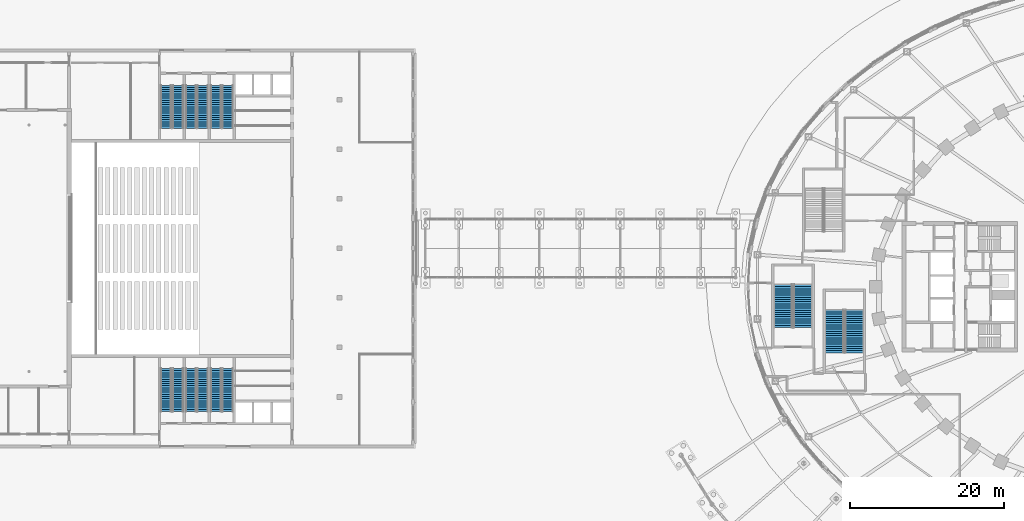
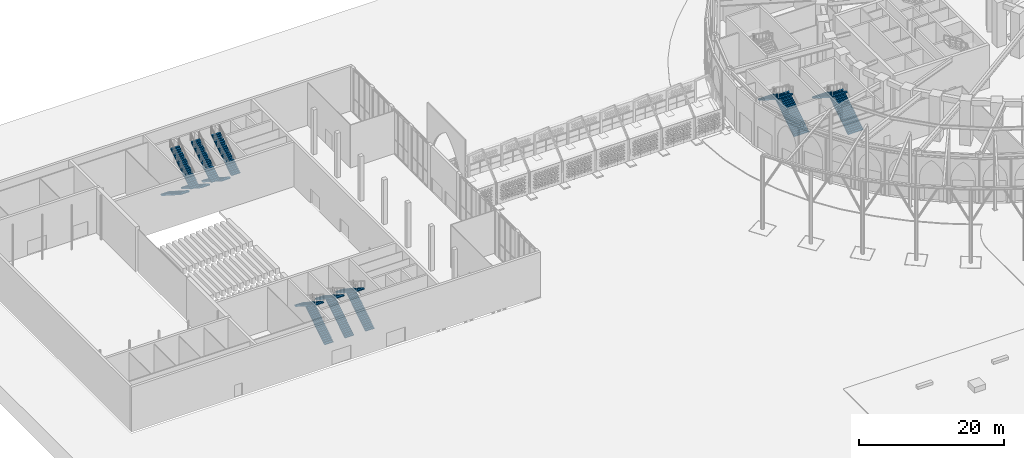
# One storey, part 50 of 79: 16 stair flights, 8 elements without a shape of their own.
"""IFC4 building model written with IfcOpenShell, lengths in metres."""

from ifc_helpers import new_model, si_unit, direction, frame, origin, place, context, subcontext, project, spatial, polyline, outline, extrude, material, type_object, element, aggregate, save


model = new_model("IFC4")

# Units and contexts
model_context = context("Model", 3, precision=1e-05, world=origin(), true_north=direction((0.0, 1.0)))
body_context = subcontext(model_context, "Body", "Model", "MODEL_VIEW")
ifc_project = project(units=[si_unit("LENGTHUNIT", "METRE"), si_unit("AREAUNIT", "SQUARE_METRE"), si_unit("VOLUMEUNIT", "CUBIC_METRE"), si_unit("PLANEANGLEUNIT", "RADIAN"), si_unit("MASSUNIT", "GRAM", prefix="KILO")], contexts=[model_context])

# Site, building, storey
site_placement = place(None, origin())
site = spatial("IfcSite", under=ifc_project, at=site_placement, CompositionType="ELEMENT")
building_placement = place(site_placement, origin())
building = spatial("IfcBuilding", under=site, at=building_placement, Name="Noorbagh Ring Tower", CompositionType="ELEMENT")
storey_placement = place(building_placement, origin())
storey = spatial("IfcBuildingStorey", under=building, at=storey_placement, Name="L00", CompositionType="ELEMENT", Elevation=0.0)

# Stair, stair flights
ifc_material_1 = material(Name="Concrete C40/50", Category="concrete")
stair_type_1 = type_object("IfcStairType", Name="GND-STAIR", PredefinedType="HALF_TURN_STAIR", material=ifc_material_1)
stair_1_placement = place(storey_placement, origin())
stair_1 = element("IfcStair", 1, at=stair_1_placement, inside=storey, type_object=stair_type_1, Name="L00 exit stair ST-P1", PredefinedType="HALF_TURN_STAIR")
ifc_material_2 = material(Name="Concrete C40/50", Category="concrete")
stair_flight_type_1 = type_object("IfcStairFlightType", Name="GND-STAIR-FLIGHT", PredefinedType="STRAIGHT", material=ifc_material_2)
stair_flight_1_placement = place(storey_placement, frame((-37.75, -8.60009765625, 0.0), z_axis=(0.0, 0.0, 1.0), x_axis=(0.0, 1.0, 0.0)))
stair_flight_1 = element("IfcStairFlight", 2, at=stair_flight_1_placement, type_object=stair_flight_type_1, Name="ST-P1 flight 1", NumberOfRisers=21, NumberOfTreads=20, PredefinedType="STRAIGHT", RiserHeight=0.178571429, TreadLength=0.28, context=body_context, shape_type="SweptSolid", body=[
    extrude(outline(polyline([(0.0, 0.0), (0.0, 0.178466796875), (0.280029296875, 0.178466796875), (0.280029296875, 0.357177734375), (0.56005859375, 0.357177734375), (0.56005859375, 0.53564453125), (0.840087890625, 0.53564453125), (0.840087890625, 0.71435546875), (1.1201171875, 0.71435546875), (1.1201171875, 0.892822265625), (1.39990234375, 0.892822265625), (1.39990234375, 1.071533203125), (1.679931640625, 1.071533203125), (1.679931640625, 1.25), (1.9599609375, 1.25), (1.9599609375, 1.428466796875), (2.239990234375, 1.428466796875), (2.239990234375, 1.607177734375), (2.52001953125, 1.607177734375), (2.52001953125, 1.78564453125), (2.800048828125, 1.78564453125), (2.800048828125, 1.96435546875), (3.080078125, 1.96435546875), (3.080078125, 2.142822265625), (3.360107421875, 2.142822265625), (3.360107421875, 2.321533203125), (3.639892578125, 2.321533203125), (3.639892578125, 2.5), (3.919921875, 2.5), (3.919921875, 2.678466796875), (4.199951171875, 2.678466796875), (4.199951171875, 2.857177734375), (4.47998046875, 2.857177734375), (4.47998046875, 3.03564453125), (4.760009765625, 3.03564453125), (4.760009765625, 3.21435546875), (5.0400390625, 3.21435546875), (5.0400390625, 3.392822265625), (5.320068359375, 3.392822265625), (5.320068359375, 3.571533203125), (5.60009765625, 3.571533203125), (5.60009765625, 3.75), (5.60009765625, 3.3935546875), (0.27880859375, 0.0), (0.0, 0.0)])), frame((0.0, 1.199951171875, 0.0), z_axis=(0.0, -1.0, 0.0), x_axis=(1.0, 0.0, 0.0)), (0.0, 0.0, 1.0), 2.39990234375),
])
stair_flight_2_placement = place(storey_placement, frame((-40.300048828125, -3.0, 3.75), z_axis=(0.0, 0.0, 1.0), x_axis=(0.0, -1.0, 0.0)))
stair_flight_2 = element("IfcStairFlight", 3, at=stair_flight_2_placement, type_object=stair_flight_type_1, Name="ST-P1 flight 2", NumberOfRisers=21, NumberOfTreads=20, PredefinedType="STRAIGHT", RiserHeight=0.178571429, TreadLength=0.28, context=body_context, shape_type="SweptSolid", body=[
    extrude(outline(polyline([(0.0, 0.0), (0.0, 0.178466796875), (0.280029296875, 0.178466796875), (0.280029296875, 0.357177734375), (0.56005859375, 0.357177734375), (0.56005859375, 0.53564453125), (0.840087890625, 0.53564453125), (0.840087890625, 0.71435546875), (1.1201171875, 0.71435546875), (1.1201171875, 0.892822265625), (1.39990234375, 0.892822265625), (1.39990234375, 1.071533203125), (1.679931640625, 1.071533203125), (1.679931640625, 1.25), (1.9599609375, 1.25), (1.9599609375, 1.428466796875), (2.239990234375, 1.428466796875), (2.239990234375, 1.607177734375), (2.52001953125, 1.607177734375), (2.52001953125, 1.78564453125), (2.800048828125, 1.78564453125), (2.800048828125, 1.96435546875), (3.080078125, 1.96435546875), (3.080078125, 2.142822265625), (3.360107421875, 2.142822265625), (3.360107421875, 2.321533203125), (3.639892578125, 2.321533203125), (3.639892578125, 2.5), (3.919921875, 2.5), (3.919921875, 2.678466796875), (4.199951171875, 2.678466796875), (4.199951171875, 2.857177734375), (4.47998046875, 2.857177734375), (4.47998046875, 3.03564453125), (4.760009765625, 3.03564453125), (4.760009765625, 3.21435546875), (5.0400390625, 3.21435546875), (5.0400390625, 3.392822265625), (5.320068359375, 3.392822265625), (5.320068359375, 3.571533203125), (5.60009765625, 3.571533203125), (5.60009765625, 3.75), (5.60009765625, 3.3935546875), (0.27880859375, 0.0), (0.0, 0.0)])), frame((0.0, 1.199951171875, 0.0), z_axis=(0.0, -1.0, 0.0), x_axis=(1.0, 0.0, 0.0)), (0.0, 0.0, 1.0), 2.39990234375),
])
aggregate(stair_1, [stair_flight_1, stair_flight_2])

stair_2_placement = place(storey_placement, origin())
stair_2 = element("IfcStair", 4, at=stair_2_placement, inside=storey, type_object=stair_type_1, Name="L00 exit stair ST-P3", PredefinedType="HALF_TURN_STAIR")
stair_flight_3_placement = place(storey_placement, frame((-44.449951171875, -5.300048828125, 0.0), z_axis=(0.0, 0.0, 1.0), x_axis=(0.0, 1.0, 0.0)))
stair_flight_3 = element("IfcStairFlight", 5, at=stair_flight_3_placement, type_object=stair_flight_type_1, Name="ST-P3 flight 1", NumberOfRisers=21, NumberOfTreads=20, PredefinedType="STRAIGHT", RiserHeight=0.178571429, TreadLength=0.28, context=body_context, shape_type="SweptSolid", body=[
    extrude(outline(polyline([(0.0, 0.0), (0.0, 0.178466796875), (0.280029296875, 0.178466796875), (0.280029296875, 0.357177734375), (0.56005859375, 0.357177734375), (0.56005859375, 0.53564453125), (0.840087890625, 0.53564453125), (0.840087890625, 0.71435546875), (1.1201171875, 0.71435546875), (1.1201171875, 0.892822265625), (1.39990234375, 0.892822265625), (1.39990234375, 1.071533203125), (1.679931640625, 1.071533203125), (1.679931640625, 1.25), (1.9599609375, 1.25), (1.9599609375, 1.428466796875), (2.239990234375, 1.428466796875), (2.239990234375, 1.607177734375), (2.52001953125, 1.607177734375), (2.52001953125, 1.78564453125), (2.800048828125, 1.78564453125), (2.800048828125, 1.96435546875), (3.080078125, 1.96435546875), (3.080078125, 2.142822265625), (3.360107421875, 2.142822265625), (3.360107421875, 2.321533203125), (3.639892578125, 2.321533203125), (3.639892578125, 2.5), (3.919921875, 2.5), (3.919921875, 2.678466796875), (4.199951171875, 2.678466796875), (4.199951171875, 2.857177734375), (4.47998046875, 2.857177734375), (4.47998046875, 3.03564453125), (4.760009765625, 3.03564453125), (4.760009765625, 3.21435546875), (5.0400390625, 3.21435546875), (5.0400390625, 3.392822265625), (5.320068359375, 3.392822265625), (5.320068359375, 3.571533203125), (5.60009765625, 3.571533203125), (5.60009765625, 3.75), (5.60009765625, 3.3935546875), (0.27880859375, 0.0), (0.0, 0.0)])), frame((0.0, 1.199951171875, 0.0), z_axis=(0.0, -1.0, 0.0), x_axis=(1.0, 0.0, 0.0)), (0.0, 0.0, 1.0), 2.39990234375),
])
stair_flight_4_placement = place(storey_placement, frame((-47.0, 0.300048828125, 3.75), z_axis=(0.0, 0.0, 1.0), x_axis=(0.0, -1.0, 0.0)))
stair_flight_4 = element("IfcStairFlight", 6, at=stair_flight_4_placement, type_object=stair_flight_type_1, Name="ST-P3 flight 2", NumberOfRisers=21, NumberOfTreads=20, PredefinedType="STRAIGHT", RiserHeight=0.178571429, TreadLength=0.28, context=body_context, shape_type="SweptSolid", body=[
    extrude(outline(polyline([(0.0, 0.0), (0.0, 0.178466796875), (0.280029296875, 0.178466796875), (0.280029296875, 0.357177734375), (0.56005859375, 0.357177734375), (0.56005859375, 0.53564453125), (0.840087890625, 0.53564453125), (0.840087890625, 0.71435546875), (1.1201171875, 0.71435546875), (1.1201171875, 0.892822265625), (1.39990234375, 0.892822265625), (1.39990234375, 1.071533203125), (1.679931640625, 1.071533203125), (1.679931640625, 1.25), (1.9599609375, 1.25), (1.9599609375, 1.428466796875), (2.239990234375, 1.428466796875), (2.239990234375, 1.607177734375), (2.52001953125, 1.607177734375), (2.52001953125, 1.78564453125), (2.800048828125, 1.78564453125), (2.800048828125, 1.96435546875), (3.080078125, 1.96435546875), (3.080078125, 2.142822265625), (3.360107421875, 2.142822265625), (3.360107421875, 2.321533203125), (3.639892578125, 2.321533203125), (3.639892578125, 2.5), (3.919921875, 2.5), (3.919921875, 2.678466796875), (4.199951171875, 2.678466796875), (4.199951171875, 2.857177734375), (4.47998046875, 2.857177734375), (4.47998046875, 3.03564453125), (4.760009765625, 3.03564453125), (4.760009765625, 3.21435546875), (5.0400390625, 3.21435546875), (5.0400390625, 3.392822265625), (5.320068359375, 3.392822265625), (5.320068359375, 3.571533203125), (5.60009765625, 3.571533203125), (5.60009765625, 3.75), (5.60009765625, 3.3935546875), (0.27880859375, 0.0), (0.0, 0.0)])), frame((0.0, 1.199951171875, 0.0), z_axis=(0.0, -1.0, 0.0), x_axis=(1.0, 0.0, 0.0)), (0.0, 0.0, 1.0), 2.39990234375),
])
aggregate(stair_2, [stair_flight_3, stair_flight_4])

ifc_material_3 = material(Name="Concrete C40/50", Category="concrete")
stair_type_2 = type_object("IfcStairType", Name="TH-STAIR", PredefinedType="HALF_TURN_STAIR", material=ifc_material_3)
stair_3_placement = place(storey_placement, origin())
stair_3 = element("IfcStair", 7, at=stair_3_placement, inside=storey, type_object=stair_type_2, Name="L00 Exit stair S1", PredefinedType="HALF_TURN_STAIR")
ifc_material_4 = material(Name="Concrete C40/50", Category="concrete")
stair_flight_type_2 = type_object("IfcStairFlightType", Name="TH-STAIR-FLIGHT", PredefinedType="STRAIGHT", material=ifc_material_4)
stair_flight_5_placement = place(storey_placement, frame((-122.60009765625, -16.25, 0.0), z_axis=(0.0, 0.0, 1.0), x_axis=(0.0, 1.0, 0.0)))
stair_flight_5 = element("IfcStairFlight", 8, at=stair_flight_5_placement, type_object=stair_flight_type_2, Name="TSS1 flight 1", NumberOfRisers=21, NumberOfTreads=20, PredefinedType="STRAIGHT", RiserHeight=0.178571429, TreadLength=0.28, context=body_context, shape_type="SweptSolid", body=[
    extrude(outline(polyline([(0.0, 0.0), (0.0, 0.178466796875), (0.280029296875, 0.178466796875), (0.280029296875, 0.357177734375), (0.56005859375, 0.357177734375), (0.56005859375, 0.53564453125), (0.840087890625, 0.53564453125), (0.840087890625, 0.71435546875), (1.1201171875, 0.71435546875), (1.1201171875, 0.892822265625), (1.39990234375, 0.892822265625), (1.39990234375, 1.071533203125), (1.679931640625, 1.071533203125), (1.679931640625, 1.25), (1.9599609375, 1.25), (1.9599609375, 1.428466796875), (2.239990234375, 1.428466796875), (2.239990234375, 1.607177734375), (2.52001953125, 1.607177734375), (2.52001953125, 1.78564453125), (2.800048828125, 1.78564453125), (2.800048828125, 1.96435546875), (3.080078125, 1.96435546875), (3.080078125, 2.142822265625), (3.360107421875, 2.142822265625), (3.360107421875, 2.321533203125), (3.639892578125, 2.321533203125), (3.639892578125, 2.5), (3.919921875, 2.5), (3.919921875, 2.678466796875), (4.199951171875, 2.678466796875), (4.199951171875, 2.857177734375), (4.47998046875, 2.857177734375), (4.47998046875, 3.03564453125), (4.760009765625, 3.03564453125), (4.760009765625, 3.21435546875), (5.0400390625, 3.21435546875), (5.0400390625, 3.392822265625), (5.320068359375, 3.392822265625), (5.320068359375, 3.571533203125), (5.60009765625, 3.571533203125), (5.60009765625, 3.75), (5.60009765625, 3.3935546875), (0.27880859375, 0.0), (0.0, 0.0)])), frame((0.0, 0.699951171875, 0.0), z_axis=(0.0, -1.0, 0.0), x_axis=(1.0, 0.0, 0.0)), (0.0, 0.0, 1.0), 1.39990234375),
])
stair_flight_6_placement = place(storey_placement, frame((-124.14990234375, -10.64990234375, 3.75), z_axis=(0.0, 0.0, 1.0), x_axis=(0.0, -1.0, 0.0)))
stair_flight_6 = element("IfcStairFlight", 9, at=stair_flight_6_placement, type_object=stair_flight_type_2, Name="TSS1 flight 2", NumberOfRisers=21, NumberOfTreads=20, PredefinedType="STRAIGHT", RiserHeight=0.178571429, TreadLength=0.28, context=body_context, shape_type="SweptSolid", body=[
    extrude(outline(polyline([(0.0, 0.0), (0.0, 0.178466796875), (0.280029296875, 0.178466796875), (0.280029296875, 0.357177734375), (0.56005859375, 0.357177734375), (0.56005859375, 0.53564453125), (0.840087890625, 0.53564453125), (0.840087890625, 0.71435546875), (1.1201171875, 0.71435546875), (1.1201171875, 0.892822265625), (1.39990234375, 0.892822265625), (1.39990234375, 1.071533203125), (1.679931640625, 1.071533203125), (1.679931640625, 1.25), (1.9599609375, 1.25), (1.9599609375, 1.428466796875), (2.239990234375, 1.428466796875), (2.239990234375, 1.607177734375), (2.52001953125, 1.607177734375), (2.52001953125, 1.78564453125), (2.800048828125, 1.78564453125), (2.800048828125, 1.96435546875), (3.080078125, 1.96435546875), (3.080078125, 2.142822265625), (3.360107421875, 2.142822265625), (3.360107421875, 2.321533203125), (3.639892578125, 2.321533203125), (3.639892578125, 2.5), (3.919921875, 2.5), (3.919921875, 2.678466796875), (4.199951171875, 2.678466796875), (4.199951171875, 2.857177734375), (4.47998046875, 2.857177734375), (4.47998046875, 3.03564453125), (4.760009765625, 3.03564453125), (4.760009765625, 3.21435546875), (5.0400390625, 3.21435546875), (5.0400390625, 3.392822265625), (5.320068359375, 3.392822265625), (5.320068359375, 3.571533203125), (5.60009765625, 3.571533203125), (5.60009765625, 3.75), (5.60009765625, 3.3935546875), (0.27880859375, 0.0), (0.0, 0.0)])), frame((0.0, 0.699951171875, 0.0), z_axis=(0.0, -1.0, 0.0), x_axis=(1.0, 0.0, 0.0)), (0.0, 0.0, 1.0), 1.39990234375),
])
aggregate(stair_3, [stair_flight_5, stair_flight_6])

stair_4_placement = place(storey_placement, origin())
stair_4 = element("IfcStair", 10, at=stair_4_placement, inside=storey, type_object=stair_type_2, Name="L00 Exit stair S2", PredefinedType="HALF_TURN_STAIR")
stair_flight_7_placement = place(storey_placement, frame((-119.35009765625, -16.25, 0.0), z_axis=(0.0, 0.0, 1.0), x_axis=(0.0, 1.0, 0.0)))
stair_flight_7 = element("IfcStairFlight", 11, at=stair_flight_7_placement, type_object=stair_flight_type_2, Name="TSS2 flight 1", NumberOfRisers=21, NumberOfTreads=20, PredefinedType="STRAIGHT", RiserHeight=0.178571429, TreadLength=0.28, context=body_context, shape_type="SweptSolid", body=[
    extrude(outline(polyline([(0.0, 0.0), (0.0, 0.178466796875), (0.280029296875, 0.178466796875), (0.280029296875, 0.357177734375), (0.56005859375, 0.357177734375), (0.56005859375, 0.53564453125), (0.840087890625, 0.53564453125), (0.840087890625, 0.71435546875), (1.1201171875, 0.71435546875), (1.1201171875, 0.892822265625), (1.39990234375, 0.892822265625), (1.39990234375, 1.071533203125), (1.679931640625, 1.071533203125), (1.679931640625, 1.25), (1.9599609375, 1.25), (1.9599609375, 1.428466796875), (2.239990234375, 1.428466796875), (2.239990234375, 1.607177734375), (2.52001953125, 1.607177734375), (2.52001953125, 1.78564453125), (2.800048828125, 1.78564453125), (2.800048828125, 1.96435546875), (3.080078125, 1.96435546875), (3.080078125, 2.142822265625), (3.360107421875, 2.142822265625), (3.360107421875, 2.321533203125), (3.639892578125, 2.321533203125), (3.639892578125, 2.5), (3.919921875, 2.5), (3.919921875, 2.678466796875), (4.199951171875, 2.678466796875), (4.199951171875, 2.857177734375), (4.47998046875, 2.857177734375), (4.47998046875, 3.03564453125), (4.760009765625, 3.03564453125), (4.760009765625, 3.21435546875), (5.0400390625, 3.21435546875), (5.0400390625, 3.392822265625), (5.320068359375, 3.392822265625), (5.320068359375, 3.571533203125), (5.60009765625, 3.571533203125), (5.60009765625, 3.75), (5.60009765625, 3.3935546875), (0.27880859375, 0.0), (0.0, 0.0)])), frame((0.0, 0.699951171875, 0.0), z_axis=(0.0, -1.0, 0.0), x_axis=(1.0, 0.0, 0.0)), (0.0, 0.0, 1.0), 1.39990234375),
])
stair_flight_8_placement = place(storey_placement, frame((-120.89990234375, -10.64990234375, 3.75), z_axis=(0.0, 0.0, 1.0), x_axis=(0.0, -1.0, 0.0)))
stair_flight_8 = element("IfcStairFlight", 12, at=stair_flight_8_placement, type_object=stair_flight_type_2, Name="TSS2 flight 2", NumberOfRisers=21, NumberOfTreads=20, PredefinedType="STRAIGHT", RiserHeight=0.178571429, TreadLength=0.28, context=body_context, shape_type="SweptSolid", body=[
    extrude(outline(polyline([(0.0, 0.0), (0.0, 0.178466796875), (0.280029296875, 0.178466796875), (0.280029296875, 0.357177734375), (0.56005859375, 0.357177734375), (0.56005859375, 0.53564453125), (0.840087890625, 0.53564453125), (0.840087890625, 0.71435546875), (1.1201171875, 0.71435546875), (1.1201171875, 0.892822265625), (1.39990234375, 0.892822265625), (1.39990234375, 1.071533203125), (1.679931640625, 1.071533203125), (1.679931640625, 1.25), (1.9599609375, 1.25), (1.9599609375, 1.428466796875), (2.239990234375, 1.428466796875), (2.239990234375, 1.607177734375), (2.52001953125, 1.607177734375), (2.52001953125, 1.78564453125), (2.800048828125, 1.78564453125), (2.800048828125, 1.96435546875), (3.080078125, 1.96435546875), (3.080078125, 2.142822265625), (3.360107421875, 2.142822265625), (3.360107421875, 2.321533203125), (3.639892578125, 2.321533203125), (3.639892578125, 2.5), (3.919921875, 2.5), (3.919921875, 2.678466796875), (4.199951171875, 2.678466796875), (4.199951171875, 2.857177734375), (4.47998046875, 2.857177734375), (4.47998046875, 3.03564453125), (4.760009765625, 3.03564453125), (4.760009765625, 3.21435546875), (5.0400390625, 3.21435546875), (5.0400390625, 3.392822265625), (5.320068359375, 3.392822265625), (5.320068359375, 3.571533203125), (5.60009765625, 3.571533203125), (5.60009765625, 3.75), (5.60009765625, 3.3935546875), (0.27880859375, 0.0), (0.0, 0.0)])), frame((0.0, 0.699951171875, 0.0), z_axis=(0.0, -1.0, 0.0), x_axis=(1.0, 0.0, 0.0)), (0.0, 0.0, 1.0), 1.39990234375),
])
aggregate(stair_4, [stair_flight_7, stair_flight_8])

stair_5_placement = place(storey_placement, origin())
stair_5 = element("IfcStair", 13, at=stair_5_placement, inside=storey, type_object=stair_type_2, Name="L00 Exit stair S3", PredefinedType="HALF_TURN_STAIR")
stair_flight_9_placement = place(storey_placement, frame((-125.85009765625, -16.25, 0.0), z_axis=(0.0, 0.0, 1.0), x_axis=(0.0, 1.0, 0.0)))
stair_flight_9 = element("IfcStairFlight", 14, at=stair_flight_9_placement, type_object=stair_flight_type_2, Name="TSS3 flight 1", NumberOfRisers=21, NumberOfTreads=20, PredefinedType="STRAIGHT", RiserHeight=0.178571429, TreadLength=0.28, context=body_context, shape_type="SweptSolid", body=[
    extrude(outline(polyline([(0.0, 0.0), (0.0, 0.178466796875), (0.280029296875, 0.178466796875), (0.280029296875, 0.357177734375), (0.56005859375, 0.357177734375), (0.56005859375, 0.53564453125), (0.840087890625, 0.53564453125), (0.840087890625, 0.71435546875), (1.1201171875, 0.71435546875), (1.1201171875, 0.892822265625), (1.39990234375, 0.892822265625), (1.39990234375, 1.071533203125), (1.679931640625, 1.071533203125), (1.679931640625, 1.25), (1.9599609375, 1.25), (1.9599609375, 1.428466796875), (2.239990234375, 1.428466796875), (2.239990234375, 1.607177734375), (2.52001953125, 1.607177734375), (2.52001953125, 1.78564453125), (2.800048828125, 1.78564453125), (2.800048828125, 1.96435546875), (3.080078125, 1.96435546875), (3.080078125, 2.142822265625), (3.360107421875, 2.142822265625), (3.360107421875, 2.321533203125), (3.639892578125, 2.321533203125), (3.639892578125, 2.5), (3.919921875, 2.5), (3.919921875, 2.678466796875), (4.199951171875, 2.678466796875), (4.199951171875, 2.857177734375), (4.47998046875, 2.857177734375), (4.47998046875, 3.03564453125), (4.760009765625, 3.03564453125), (4.760009765625, 3.21435546875), (5.0400390625, 3.21435546875), (5.0400390625, 3.392822265625), (5.320068359375, 3.392822265625), (5.320068359375, 3.571533203125), (5.60009765625, 3.571533203125), (5.60009765625, 3.75), (5.60009765625, 3.3935546875), (0.27880859375, 0.0), (0.0, 0.0)])), frame((0.0, 0.699951171875, 0.0), z_axis=(0.0, -1.0, 0.0), x_axis=(1.0, 0.0, 0.0)), (0.0, 0.0, 1.0), 1.39990234375),
])
stair_flight_10_placement = place(storey_placement, frame((-127.39990234375, -10.64990234375, 3.75), z_axis=(0.0, 0.0, 1.0), x_axis=(0.0, -1.0, 0.0)))
stair_flight_10 = element("IfcStairFlight", 15, at=stair_flight_10_placement, type_object=stair_flight_type_2, Name="TSS3 flight 2", NumberOfRisers=21, NumberOfTreads=20, PredefinedType="STRAIGHT", RiserHeight=0.178571429, TreadLength=0.28, context=body_context, shape_type="SweptSolid", body=[
    extrude(outline(polyline([(0.0, 0.0), (0.0, 0.178466796875), (0.280029296875, 0.178466796875), (0.280029296875, 0.357177734375), (0.56005859375, 0.357177734375), (0.56005859375, 0.53564453125), (0.840087890625, 0.53564453125), (0.840087890625, 0.71435546875), (1.1201171875, 0.71435546875), (1.1201171875, 0.892822265625), (1.39990234375, 0.892822265625), (1.39990234375, 1.071533203125), (1.679931640625, 1.071533203125), (1.679931640625, 1.25), (1.9599609375, 1.25), (1.9599609375, 1.428466796875), (2.239990234375, 1.428466796875), (2.239990234375, 1.607177734375), (2.52001953125, 1.607177734375), (2.52001953125, 1.78564453125), (2.800048828125, 1.78564453125), (2.800048828125, 1.96435546875), (3.080078125, 1.96435546875), (3.080078125, 2.142822265625), (3.360107421875, 2.142822265625), (3.360107421875, 2.321533203125), (3.639892578125, 2.321533203125), (3.639892578125, 2.5), (3.919921875, 2.5), (3.919921875, 2.678466796875), (4.199951171875, 2.678466796875), (4.199951171875, 2.857177734375), (4.47998046875, 2.857177734375), (4.47998046875, 3.03564453125), (4.760009765625, 3.03564453125), (4.760009765625, 3.21435546875), (5.0400390625, 3.21435546875), (5.0400390625, 3.392822265625), (5.320068359375, 3.392822265625), (5.320068359375, 3.571533203125), (5.60009765625, 3.571533203125), (5.60009765625, 3.75), (5.60009765625, 3.3935546875), (0.27880859375, 0.0), (0.0, 0.0)])), frame((0.0, 0.699951171875, 0.0), z_axis=(0.0, -1.0, 0.0), x_axis=(1.0, 0.0, 0.0)), (0.0, 0.0, 1.0), 1.39990234375),
])
aggregate(stair_5, [stair_flight_9, stair_flight_10])

stair_6_placement = place(storey_placement, origin())
stair_6 = element("IfcStair", 16, at=stair_6_placement, inside=storey, type_object=stair_type_2, Name="L00 Exit stair N1", PredefinedType="HALF_TURN_STAIR")
stair_flight_11_placement = place(storey_placement, frame((-124.14990234375, 26.25, 0.0), z_axis=(0.0, 0.0, 1.0), x_axis=(0.0, -1.0, 0.0)))
stair_flight_11 = element("IfcStairFlight", 17, at=stair_flight_11_placement, type_object=stair_flight_type_2, Name="TSN1 flight 1", NumberOfRisers=21, NumberOfTreads=20, PredefinedType="STRAIGHT", RiserHeight=0.178571429, TreadLength=0.28, context=body_context, shape_type="SweptSolid", body=[
    extrude(outline(polyline([(0.0, 0.0), (0.0, 0.178466796875), (0.280029296875, 0.178466796875), (0.280029296875, 0.357177734375), (0.56005859375, 0.357177734375), (0.56005859375, 0.53564453125), (0.840087890625, 0.53564453125), (0.840087890625, 0.71435546875), (1.1201171875, 0.71435546875), (1.1201171875, 0.892822265625), (1.39990234375, 0.892822265625), (1.39990234375, 1.071533203125), (1.679931640625, 1.071533203125), (1.679931640625, 1.25), (1.9599609375, 1.25), (1.9599609375, 1.428466796875), (2.239990234375, 1.428466796875), (2.239990234375, 1.607177734375), (2.52001953125, 1.607177734375), (2.52001953125, 1.78564453125), (2.800048828125, 1.78564453125), (2.800048828125, 1.96435546875), (3.080078125, 1.96435546875), (3.080078125, 2.142822265625), (3.360107421875, 2.142822265625), (3.360107421875, 2.321533203125), (3.639892578125, 2.321533203125), (3.639892578125, 2.5), (3.919921875, 2.5), (3.919921875, 2.678466796875), (4.199951171875, 2.678466796875), (4.199951171875, 2.857177734375), (4.47998046875, 2.857177734375), (4.47998046875, 3.03564453125), (4.760009765625, 3.03564453125), (4.760009765625, 3.21435546875), (5.0400390625, 3.21435546875), (5.0400390625, 3.392822265625), (5.320068359375, 3.392822265625), (5.320068359375, 3.571533203125), (5.60009765625, 3.571533203125), (5.60009765625, 3.75), (5.60009765625, 3.3935546875), (0.27880859375, 0.0), (0.0, 0.0)])), frame((0.0, 0.699951171875, 0.0), z_axis=(0.0, -1.0, 0.0), x_axis=(1.0, 0.0, 0.0)), (0.0, 0.0, 1.0), 1.39990234375),
])
stair_flight_12_placement = place(storey_placement, frame((-122.60009765625, 20.64990234375, 3.75), z_axis=(0.0, 0.0, 1.0), x_axis=(0.0, 1.0, 0.0)))
stair_flight_12 = element("IfcStairFlight", 18, at=stair_flight_12_placement, type_object=stair_flight_type_2, Name="TSN1 flight 2", NumberOfRisers=21, NumberOfTreads=20, PredefinedType="STRAIGHT", RiserHeight=0.178571429, TreadLength=0.28, context=body_context, shape_type="SweptSolid", body=[
    extrude(outline(polyline([(0.0, 0.0), (0.0, 0.178466796875), (0.280029296875, 0.178466796875), (0.280029296875, 0.357177734375), (0.56005859375, 0.357177734375), (0.56005859375, 0.53564453125), (0.840087890625, 0.53564453125), (0.840087890625, 0.71435546875), (1.1201171875, 0.71435546875), (1.1201171875, 0.892822265625), (1.39990234375, 0.892822265625), (1.39990234375, 1.071533203125), (1.679931640625, 1.071533203125), (1.679931640625, 1.25), (1.9599609375, 1.25), (1.9599609375, 1.428466796875), (2.239990234375, 1.428466796875), (2.239990234375, 1.607177734375), (2.52001953125, 1.607177734375), (2.52001953125, 1.78564453125), (2.800048828125, 1.78564453125), (2.800048828125, 1.96435546875), (3.080078125, 1.96435546875), (3.080078125, 2.142822265625), (3.360107421875, 2.142822265625), (3.360107421875, 2.321533203125), (3.639892578125, 2.321533203125), (3.639892578125, 2.5), (3.919921875, 2.5), (3.919921875, 2.678466796875), (4.199951171875, 2.678466796875), (4.199951171875, 2.857177734375), (4.47998046875, 2.857177734375), (4.47998046875, 3.03564453125), (4.760009765625, 3.03564453125), (4.760009765625, 3.21435546875), (5.0400390625, 3.21435546875), (5.0400390625, 3.392822265625), (5.320068359375, 3.392822265625), (5.320068359375, 3.571533203125), (5.60009765625, 3.571533203125), (5.60009765625, 3.75), (5.60009765625, 3.3935546875), (0.27880859375, 0.0), (0.0, 0.0)])), frame((0.0, 0.699951171875, 0.0), z_axis=(0.0, -1.0, 0.0), x_axis=(1.0, 0.0, 0.0)), (0.0, 0.0, 1.0), 1.39990234375),
])
aggregate(stair_6, [stair_flight_11, stair_flight_12])

stair_7_placement = place(storey_placement, origin())
stair_7 = element("IfcStair", 19, at=stair_7_placement, inside=storey, type_object=stair_type_2, Name="L00 Exit stair N2", PredefinedType="HALF_TURN_STAIR")
stair_flight_13_placement = place(storey_placement, frame((-120.89990234375, 26.25, 0.0), z_axis=(0.0, 0.0, 1.0), x_axis=(0.0, -1.0, 0.0)))
stair_flight_13 = element("IfcStairFlight", 20, at=stair_flight_13_placement, type_object=stair_flight_type_2, Name="TSN2 flight 1", NumberOfRisers=21, NumberOfTreads=20, PredefinedType="STRAIGHT", RiserHeight=0.178571429, TreadLength=0.28, context=body_context, shape_type="SweptSolid", body=[
    extrude(outline(polyline([(0.0, 0.0), (0.0, 0.178466796875), (0.280029296875, 0.178466796875), (0.280029296875, 0.357177734375), (0.56005859375, 0.357177734375), (0.56005859375, 0.53564453125), (0.840087890625, 0.53564453125), (0.840087890625, 0.71435546875), (1.1201171875, 0.71435546875), (1.1201171875, 0.892822265625), (1.39990234375, 0.892822265625), (1.39990234375, 1.071533203125), (1.679931640625, 1.071533203125), (1.679931640625, 1.25), (1.9599609375, 1.25), (1.9599609375, 1.428466796875), (2.239990234375, 1.428466796875), (2.239990234375, 1.607177734375), (2.52001953125, 1.607177734375), (2.52001953125, 1.78564453125), (2.800048828125, 1.78564453125), (2.800048828125, 1.96435546875), (3.080078125, 1.96435546875), (3.080078125, 2.142822265625), (3.360107421875, 2.142822265625), (3.360107421875, 2.321533203125), (3.639892578125, 2.321533203125), (3.639892578125, 2.5), (3.919921875, 2.5), (3.919921875, 2.678466796875), (4.199951171875, 2.678466796875), (4.199951171875, 2.857177734375), (4.47998046875, 2.857177734375), (4.47998046875, 3.03564453125), (4.760009765625, 3.03564453125), (4.760009765625, 3.21435546875), (5.0400390625, 3.21435546875), (5.0400390625, 3.392822265625), (5.320068359375, 3.392822265625), (5.320068359375, 3.571533203125), (5.60009765625, 3.571533203125), (5.60009765625, 3.75), (5.60009765625, 3.3935546875), (0.27880859375, 0.0), (0.0, 0.0)])), frame((0.0, 0.699951171875, 0.0), z_axis=(0.0, -1.0, 0.0), x_axis=(1.0, 0.0, 0.0)), (0.0, 0.0, 1.0), 1.39990234375),
])
stair_flight_14_placement = place(storey_placement, frame((-119.35009765625, 20.64990234375, 3.75), z_axis=(0.0, 0.0, 1.0), x_axis=(0.0, 1.0, 0.0)))
stair_flight_14 = element("IfcStairFlight", 21, at=stair_flight_14_placement, type_object=stair_flight_type_2, Name="TSN2 flight 2", NumberOfRisers=21, NumberOfTreads=20, PredefinedType="STRAIGHT", RiserHeight=0.178571429, TreadLength=0.28, context=body_context, shape_type="SweptSolid", body=[
    extrude(outline(polyline([(0.0, 0.0), (0.0, 0.178466796875), (0.280029296875, 0.178466796875), (0.280029296875, 0.357177734375), (0.56005859375, 0.357177734375), (0.56005859375, 0.53564453125), (0.840087890625, 0.53564453125), (0.840087890625, 0.71435546875), (1.1201171875, 0.71435546875), (1.1201171875, 0.892822265625), (1.39990234375, 0.892822265625), (1.39990234375, 1.071533203125), (1.679931640625, 1.071533203125), (1.679931640625, 1.25), (1.9599609375, 1.25), (1.9599609375, 1.428466796875), (2.239990234375, 1.428466796875), (2.239990234375, 1.607177734375), (2.52001953125, 1.607177734375), (2.52001953125, 1.78564453125), (2.800048828125, 1.78564453125), (2.800048828125, 1.96435546875), (3.080078125, 1.96435546875), (3.080078125, 2.142822265625), (3.360107421875, 2.142822265625), (3.360107421875, 2.321533203125), (3.639892578125, 2.321533203125), (3.639892578125, 2.5), (3.919921875, 2.5), (3.919921875, 2.678466796875), (4.199951171875, 2.678466796875), (4.199951171875, 2.857177734375), (4.47998046875, 2.857177734375), (4.47998046875, 3.03564453125), (4.760009765625, 3.03564453125), (4.760009765625, 3.21435546875), (5.0400390625, 3.21435546875), (5.0400390625, 3.392822265625), (5.320068359375, 3.392822265625), (5.320068359375, 3.571533203125), (5.60009765625, 3.571533203125), (5.60009765625, 3.75), (5.60009765625, 3.3935546875), (0.27880859375, 0.0), (0.0, 0.0)])), frame((0.0, 0.699951171875, 0.0), z_axis=(0.0, -1.0, 0.0), x_axis=(1.0, 0.0, 0.0)), (0.0, 0.0, 1.0), 1.39990234375),
])
aggregate(stair_7, [stair_flight_13, stair_flight_14])

stair_8_placement = place(storey_placement, origin())
stair_8 = element("IfcStair", 22, at=stair_8_placement, inside=storey, type_object=stair_type_2, Name="L00 Exit stair N3", PredefinedType="HALF_TURN_STAIR")
stair_flight_15_placement = place(storey_placement, frame((-127.39990234375, 26.25, 0.0), z_axis=(0.0, 0.0, 1.0), x_axis=(0.0, -1.0, 0.0)))
stair_flight_15 = element("IfcStairFlight", 23, at=stair_flight_15_placement, type_object=stair_flight_type_2, Name="TSN3 flight 1", NumberOfRisers=21, NumberOfTreads=20, PredefinedType="STRAIGHT", RiserHeight=0.178571429, TreadLength=0.28, context=body_context, shape_type="SweptSolid", body=[
    extrude(outline(polyline([(0.0, 0.0), (0.0, 0.178466796875), (0.280029296875, 0.178466796875), (0.280029296875, 0.357177734375), (0.56005859375, 0.357177734375), (0.56005859375, 0.53564453125), (0.840087890625, 0.53564453125), (0.840087890625, 0.71435546875), (1.1201171875, 0.71435546875), (1.1201171875, 0.892822265625), (1.39990234375, 0.892822265625), (1.39990234375, 1.071533203125), (1.679931640625, 1.071533203125), (1.679931640625, 1.25), (1.9599609375, 1.25), (1.9599609375, 1.428466796875), (2.239990234375, 1.428466796875), (2.239990234375, 1.607177734375), (2.52001953125, 1.607177734375), (2.52001953125, 1.78564453125), (2.800048828125, 1.78564453125), (2.800048828125, 1.96435546875), (3.080078125, 1.96435546875), (3.080078125, 2.142822265625), (3.360107421875, 2.142822265625), (3.360107421875, 2.321533203125), (3.639892578125, 2.321533203125), (3.639892578125, 2.5), (3.919921875, 2.5), (3.919921875, 2.678466796875), (4.199951171875, 2.678466796875), (4.199951171875, 2.857177734375), (4.47998046875, 2.857177734375), (4.47998046875, 3.03564453125), (4.760009765625, 3.03564453125), (4.760009765625, 3.21435546875), (5.0400390625, 3.21435546875), (5.0400390625, 3.392822265625), (5.320068359375, 3.392822265625), (5.320068359375, 3.571533203125), (5.60009765625, 3.571533203125), (5.60009765625, 3.75), (5.60009765625, 3.3935546875), (0.27880859375, 0.0), (0.0, 0.0)])), frame((0.0, 0.699951171875, 0.0), z_axis=(0.0, -1.0, 0.0), x_axis=(1.0, 0.0, 0.0)), (0.0, 0.0, 1.0), 1.39990234375),
])
stair_flight_16_placement = place(storey_placement, frame((-125.85009765625, 20.64990234375, 3.75), z_axis=(0.0, 0.0, 1.0), x_axis=(0.0, 1.0, 0.0)))
stair_flight_16 = element("IfcStairFlight", 24, at=stair_flight_16_placement, type_object=stair_flight_type_2, Name="TSN3 flight 2", NumberOfRisers=21, NumberOfTreads=20, PredefinedType="STRAIGHT", RiserHeight=0.178571429, TreadLength=0.28, context=body_context, shape_type="SweptSolid", body=[
    extrude(outline(polyline([(0.0, 0.0), (0.0, 0.178466796875), (0.280029296875, 0.178466796875), (0.280029296875, 0.357177734375), (0.56005859375, 0.357177734375), (0.56005859375, 0.53564453125), (0.840087890625, 0.53564453125), (0.840087890625, 0.71435546875), (1.1201171875, 0.71435546875), (1.1201171875, 0.892822265625), (1.39990234375, 0.892822265625), (1.39990234375, 1.071533203125), (1.679931640625, 1.071533203125), (1.679931640625, 1.25), (1.9599609375, 1.25), (1.9599609375, 1.428466796875), (2.239990234375, 1.428466796875), (2.239990234375, 1.607177734375), (2.52001953125, 1.607177734375), (2.52001953125, 1.78564453125), (2.800048828125, 1.78564453125), (2.800048828125, 1.96435546875), (3.080078125, 1.96435546875), (3.080078125, 2.142822265625), (3.360107421875, 2.142822265625), (3.360107421875, 2.321533203125), (3.639892578125, 2.321533203125), (3.639892578125, 2.5), (3.919921875, 2.5), (3.919921875, 2.678466796875), (4.199951171875, 2.678466796875), (4.199951171875, 2.857177734375), (4.47998046875, 2.857177734375), (4.47998046875, 3.03564453125), (4.760009765625, 3.03564453125), (4.760009765625, 3.21435546875), (5.0400390625, 3.21435546875), (5.0400390625, 3.392822265625), (5.320068359375, 3.392822265625), (5.320068359375, 3.571533203125), (5.60009765625, 3.571533203125), (5.60009765625, 3.75), (5.60009765625, 3.3935546875), (0.27880859375, 0.0), (0.0, 0.0)])), frame((0.0, 0.699951171875, 0.0), z_axis=(0.0, -1.0, 0.0), x_axis=(1.0, 0.0, 0.0)), (0.0, 0.0, 1.0), 1.39990234375),
])
aggregate(stair_8, [stair_flight_15, stair_flight_16])

save(model, "model.ifc")
